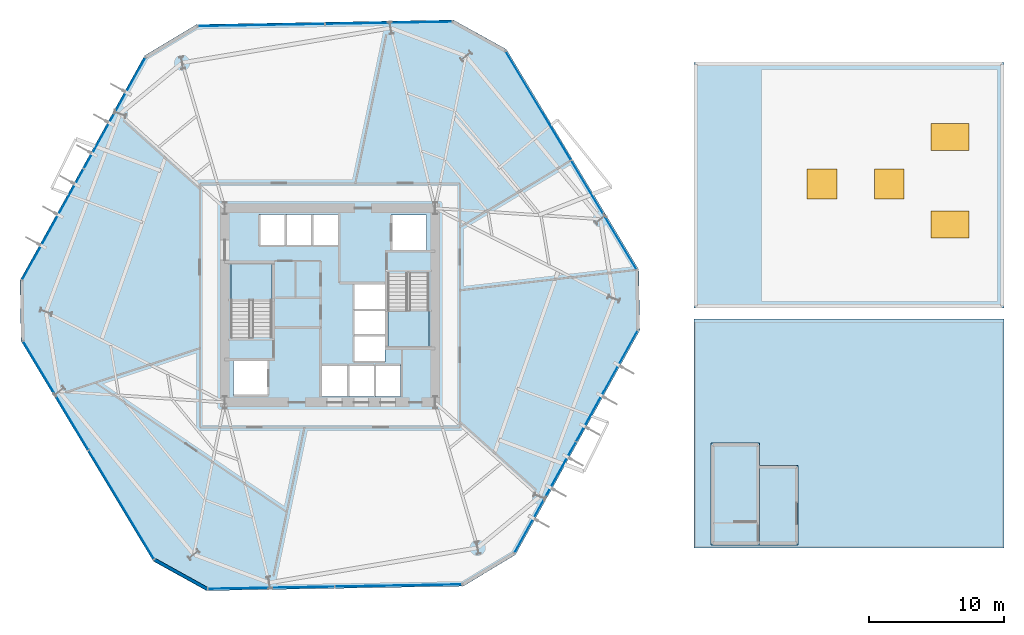
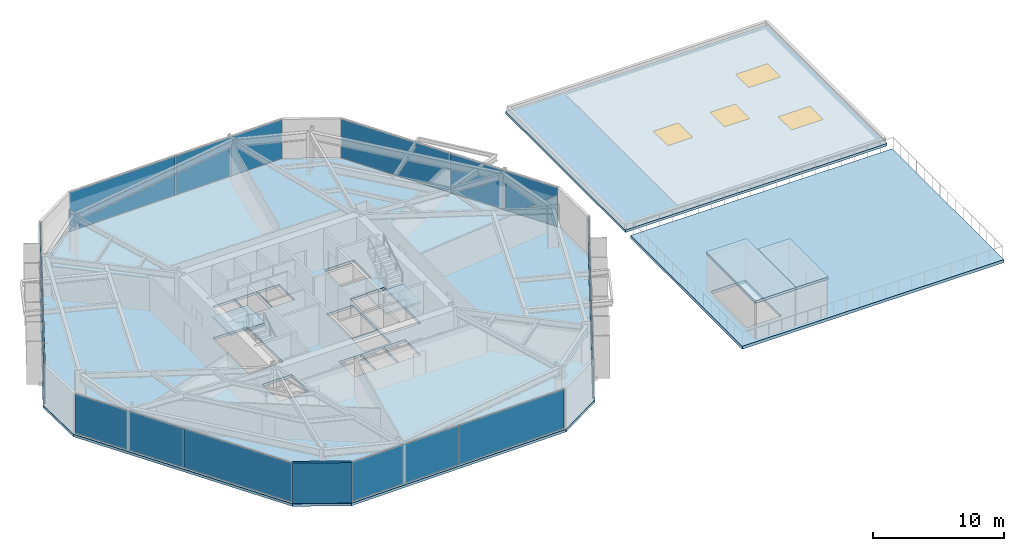
# One storey, part 5 of 11: 12 plates, 7 slabs, 4 windows, 1 wall, 4 openings, 8 elements without a shape of their own.
"""IFC4 building model written with IfcOpenShell, lengths in metres."""

from ifc_helpers import new_model, si_unit, direction, frame, frame_2d, origin, origin_2d, place, context, subcontext, project, spatial, polyline, rectangle, outline, extrude, material, layer, layer_set, type_object, element, fill, aggregate, save


model = new_model("IFC4")

# Units and contexts
model_context = context("Model", 3, precision=1e-05, world=origin(), true_north=direction((0.0, 1.0)))
body_context = subcontext(model_context, "Body", "Model", "MODEL_VIEW")
ifc_project = project(units=[si_unit("LENGTHUNIT", "METRE"), si_unit("AREAUNIT", "SQUARE_METRE"), si_unit("VOLUMEUNIT", "CUBIC_METRE"), si_unit("PLANEANGLEUNIT", "RADIAN"), si_unit("MASSUNIT", "GRAM", prefix="KILO")], contexts=[model_context])

# Site, building, storey
site_placement = place(None, origin())
site = spatial("IfcSite", under=ifc_project, at=site_placement, CompositionType="ELEMENT")
building_placement = place(site_placement, origin())
building = spatial("IfcBuilding", under=site, at=building_placement, Name="Kranzbogen Civic Tower", CompositionType="ELEMENT")
storey_placement = place(building_placement, frame((0.0, 0.0, 24.0)))
storey = spatial("IfcBuildingStorey", under=building, at=storey_placement, Name="L05", CompositionType="ELEMENT", Elevation=24.0)

# Slabs
ifc_material_1 = material(Name="Concrete C40/50", Category="concrete")
ifc_layer_1 = layer(ifc_material_1, 0.239990234375, Name="Concrete C40/50")
ifc_layer_set_1 = layer_set([ifc_layer_1], Name="Concrete C40/50")
slab_type_1 = type_object("IfcSlabType", Name="Composite Lower Tower Floor Slab 240 mm", PredefinedType="FLOOR", material=ifc_layer_set_1)
slab_1_placement = place(storey_placement, frame((0.0, 0.0, -0.239990234375)))
element("IfcSlab", 1, at=slab_1_placement, inside=storey, type_object=slab_type_1, Name="L05 tower floor slab", PredefinedType="FLOOR", context=body_context, shape_type="SweptSolid", body=[
    extrude(outline(polyline([(47.906982421875, 27.64990234375), (38.093994140625, 43.98095703125), (34.157958984375, 46.1630859375), (15.10888671875, 45.8310546875), (11.2509765625, 43.512939453125), (2.014892578125, 26.84912109375), (2.093017578125, 22.35009765625), (11.906005859375, 6.01904296875), (15.842041015625, 3.8369140625), (34.89111328125, 4.1689453125), (38.7490234375, 6.487060546875), (47.985107421875, 23.15087890625), (47.906982421875, 27.64990234375)]), holes=[polyline([(26.300048828125, 20.60009765625), (26.300048828125, 18.25), (24.39990234375, 18.25), (24.39990234375, 20.60009765625), (26.300048828125, 20.60009765625)]), polyline([(28.27490234375, 18.25), (26.375, 18.25), (26.375, 20.60009765625), (28.27490234375, 20.60009765625), (28.27490234375, 18.25)]), polyline([(20.449951171875, 18.300048828125), (17.85009765625, 18.300048828125), (17.85009765625, 20.89990234375), (20.449951171875, 20.89990234375), (20.449951171875, 18.300048828125)]), polyline([(19.25, 22.659912109375), (19.25, 22.60009765625), (17.64990234375, 22.60009765625), (17.64990234375, 28.10009765625), (20.699951171875, 28.10009765625), (20.699951171875, 22.659912109375), (19.25, 22.659912109375)]), polyline([(21.64990234375, 29.39990234375), (19.75, 29.39990234375), (19.75, 31.75), (21.64990234375, 31.75), (21.64990234375, 29.39990234375)]), polyline([(23.625, 29.39990234375), (21.72509765625, 29.39990234375), (21.72509765625, 31.75), (23.625, 31.75), (23.625, 29.39990234375)]), polyline([(25.60009765625, 29.39990234375), (23.699951171875, 29.39990234375), (23.699951171875, 31.75), (25.60009765625, 31.75), (25.60009765625, 29.39990234375)]), polyline([(30.25, 18.25), (28.35009765625, 18.25), (28.35009765625, 20.60009765625), (30.25, 20.60009765625), (30.25, 18.25)]), polyline([(29.10009765625, 20.800048828125), (26.75, 20.800048828125), (26.75, 22.699951171875), (29.10009765625, 22.699951171875), (29.10009765625, 20.800048828125)]), polyline([(26.75, 26.550048828125), (29.10009765625, 26.550048828125), (29.10009765625, 24.675048828125), (29.10009765625, 24.64990234375), (29.10009765625, 22.77490234375), (26.75, 22.77490234375), (26.75, 24.64990234375), (26.75, 24.675048828125), (26.75, 26.550048828125)]), polyline([(30.75, 27.340087890625), (30.75, 27.39990234375), (32.35009765625, 27.39990234375), (32.35009765625, 21.89990234375), (29.300048828125, 21.89990234375), (29.300048828125, 27.340087890625), (30.75, 27.340087890625)]), polyline([(32.14990234375, 29.10009765625), (29.550048828125, 29.10009765625), (29.550048828125, 31.699951171875), (32.14990234375, 31.699951171875), (32.14990234375, 29.10009765625)])]), origin(), (0.0, 0.0, 1.0), 0.239990234375),
])
ifc_layer_2 = layer(ifc_material_1, 0.27001953125, Name="Concrete C40/50")
ifc_layer_set_2 = layer_set([ifc_layer_2], Name="Concrete C40/50")
slab_type_2 = type_object("IfcSlabType", Name="Health Centre Insulated Roof Terrace Slab 270 mm", PredefinedType="FLOOR", material=ifc_layer_set_2)
slab_2_placement = place(storey_placement, frame((0.0, 0.0, -0.27001953125)))
element("IfcSlab", 2, at=slab_2_placement, inside=storey, type_object=slab_type_2, Name="L05 Health Centre accessible roof terrace slab", PredefinedType="FLOOR", context=body_context, shape_type="SweptSolid", body=[
    extrude(outline(polyline([(75.0, 7.0), (75.0, 24.0), (52.0, 24.0), (52.0, 7.0), (75.0, 7.0)]), holes=[polyline([(53.550048828125, 9.0), (53.550048828125, 14.5), (56.60009765625, 14.5), (56.60009765625, 9.0), (53.550048828125, 9.0)])]), origin(), (0.0, 0.0, 1.0), 0.27001953125),
])

# Slab, openings, windows
ifc_layer_3 = layer(ifc_material_1, 0.22998046875, Name="Concrete C40/50")
ifc_layer_set_3 = layer_set([ifc_layer_3], Name="Concrete C40/50")
slab_type_3 = type_object("IfcSlabType", Name="Health Centre Structural Roof Slab 230 mm", PredefinedType="ROOF", material=ifc_layer_set_3)
slab_3_placement = place(storey_placement, frame((0.0, 0.0, -0.22998046875)))
slab_3 = element("IfcSlab", 3, at=slab_3_placement, inside=storey, type_object=slab_type_3, Name="L05 Health Centre structural roof slab", PredefinedType="ROOF", context=body_context, shape_type="SweptSolid", body=[
    extrude(outline(polyline([(75.0, 24.800048828125), (75.0, 43.0), (52.0, 43.0), (52.0, 24.800048828125), (75.0, 24.800048828125)])), origin(), (0.0, 0.0, 1.0), 0.22998046875),
])
opening_1_placement = place(slab_3_placement, frame((61.5, 34.0, 0.0)))
opening_1 = element("IfcOpeningElement", 4, at=opening_1_placement, cuts=slab_3, Name="Opening SK-22", PredefinedType="OPENING", context=body_context, shape_type="SweptSolid", body=[
    extrude(rectangle(XDim=2.199951171875, YDim=2.199951171875, at=origin_2d()), origin(), (0.0, 0.0, 1.0), 0.22998046875),
])
opening_2_placement = place(slab_3_placement, frame((66.5, 34.0, 0.0)))
opening_2 = element("IfcOpeningElement", 5, at=opening_2_placement, cuts=slab_3, Name="Opening SK-22", PredefinedType="OPENING", context=body_context, shape_type="SweptSolid", body=[
    extrude(rectangle(XDim=2.199951171875, YDim=2.199951171875, at=origin_2d()), origin(), (0.0, 0.0, 1.0), 0.22998046875),
])
opening_3_placement = place(slab_3_placement, frame((71.0, 31.0, 0.0)))
opening_3 = element("IfcOpeningElement", 6, at=opening_3_placement, cuts=slab_3, Name="Opening SK-28", PredefinedType="OPENING", context=body_context, shape_type="SweptSolid", body=[
    extrude(rectangle(XDim=2.800048828125, YDim=2.0, at=origin_2d()), origin(), (0.0, 0.0, 1.0), 0.22998046875),
])
opening_4_placement = place(slab_3_placement, frame((71.0, 37.5, 0.0)))
opening_4 = element("IfcOpeningElement", 7, at=opening_4_placement, cuts=slab_3, Name="Opening SK-28", PredefinedType="OPENING", context=body_context, shape_type="SweptSolid", body=[
    extrude(rectangle(XDim=2.800048828125, YDim=2.0, at=origin_2d()), origin(), (0.0, 0.0, 1.0), 0.22998046875),
])
ifc_material_2 = material(Name="Low-E Triple Glazing Glass", Category="glass")
window_type_1 = type_object("IfcWindowType", Name="Health Centre Corridor Daylight Skylight 2800x2000", PartitioningType="DOUBLE_PANEL_HORIZONTAL", PredefinedType="SKYLIGHT", material=ifc_material_2)
window_1_placement = place(opening_3_placement, frame((0.0, 0.0, 0.179931640625)))
window_1 = element("IfcWindow", 8, at=window_1_placement, inside=storey, type_object=window_type_1, Name="L05 Health Roof daylight skylight 3", OverallHeight=2.0, OverallWidth=2.800048828125, PartitioningType="SINGLE_PANEL", PredefinedType="SKYLIGHT", context=body_context, shape_type="SweptSolid", body=[
    extrude(rectangle(XDim=2.800048828125, YDim=2.0, at=origin_2d()), origin(), (0.0, 0.0, 1.0), 0.050048828125),
])
fill(opening_3, window_1)
window_2_placement = place(opening_4_placement, frame((0.0, 0.0, 0.179931640625)))
window_2 = element("IfcWindow", 9, at=window_2_placement, inside=storey, type_object=window_type_1, Name="L05 Health Roof daylight skylight 4", OverallHeight=2.0, OverallWidth=2.800048828125, PartitioningType="SINGLE_PANEL", PredefinedType="SKYLIGHT", context=body_context, shape_type="SweptSolid", body=[
    extrude(rectangle(XDim=2.800048828125, YDim=2.0, at=origin_2d()), origin(), (0.0, 0.0, 1.0), 0.050048828125),
])
fill(opening_4, window_2)
window_type_2 = type_object("IfcWindowType", Name="Health Centre Roof Atrium Skylight 2200x2200", PartitioningType="SINGLE_PANEL", PredefinedType="SKYLIGHT", material=ifc_material_2)
window_3_placement = place(opening_1_placement, frame((0.0, 0.0, 0.179931640625)))
window_3 = element("IfcWindow", 10, at=window_3_placement, inside=storey, type_object=window_type_2, Name="L05 Health Roof daylight skylight 1", OverallHeight=2.199951171875, OverallWidth=2.199951171875, PartitioningType="SINGLE_PANEL", PredefinedType="SKYLIGHT", context=body_context, shape_type="SweptSolid", body=[
    extrude(rectangle(XDim=2.199951171875, YDim=2.199951171875, at=origin_2d()), origin(), (0.0, 0.0, 1.0), 0.050048828125),
])
fill(opening_1, window_3)
window_4_placement = place(opening_2_placement, frame((0.0, 0.0, 0.179931640625)))
window_4 = element("IfcWindow", 11, at=window_4_placement, inside=storey, type_object=window_type_2, Name="L05 Health Roof daylight skylight 2", OverallHeight=2.199951171875, OverallWidth=2.199951171875, PartitioningType="SINGLE_PANEL", PredefinedType="SKYLIGHT", context=body_context, shape_type="SweptSolid", body=[
    extrude(rectangle(XDim=2.199951171875, YDim=2.199951171875, at=origin_2d()), origin(), (0.0, 0.0, 1.0), 0.050048828125),
])
fill(opening_2, window_4)

# Slabs
slab_4_placement = place(storey_placement, frame((0.0, 0.0, 3.39990234375)))
element("IfcSlab", 12, at=slab_4_placement, inside=storey, type_object=slab_type_3, Name="L05 Health Roof headhouse 1 roof slab", PredefinedType="ROOF", context=body_context, shape_type="SweptSolid", body=[
    extrude(outline(polyline([(53.280029296875, 7.22998046875), (56.8701171875, 7.22998046875), (56.8701171875, 14.77001953125), (53.280029296875, 14.77001953125), (53.280029296875, 7.22998046875)])), origin(), (0.0, 0.0, 1.0), 0.22998046875),
])
slab_5_placement = place(storey_placement, frame((0.0, 0.0, 3.39990234375)))
element("IfcSlab", 13, at=slab_5_placement, inside=storey, type_object=slab_type_3, Name="L05 Roof Garden Pavilion roof slab", PredefinedType="ROOF", context=body_context, shape_type="SweptSolid", body=[
    extrude(outline(polyline([(56.8701171875, 7.22998046875), (59.719970703125, 7.22998046875), (59.719970703125, 13.1201171875), (56.8701171875, 13.1201171875), (56.8701171875, 7.22998046875)])), origin(), (0.0, 0.0, 1.0), 0.22998046875),
])

# Curtain wall, plates
ifc_material_3 = material(Name="Pale Anodised Aluminium", Category="aluminium")
ifc_layer_4 = layer(ifc_material_3, 0.219970703125, Name="Pale Anodised Aluminium")
ifc_layer_set_4 = layer_set([ifc_layer_4], Name="Pale Anodised Aluminium")
curtain_wall_type = type_object("IfcCurtainWallType", Name="Zone 1 Stick Curtain Wall System CW-02", PredefinedType="USERDEFINED", material=ifc_layer_set_4)
curtain_wall_1_placement = place(storey_placement, origin())
curtain_wall_1 = element("IfcCurtainWall", 14, at=curtain_wall_1_placement, inside=storey, type_object=curtain_wall_type, Name="L05 curtain wall CW-L05-F1", ObjectType="STICK CURTAIN WALL", PredefinedType="USERDEFINED")
ifc_layer_5 = layer(ifc_material_2, 0.033935546875, Name="Low-E Triple Glazing Glass")
ifc_layer_set_5 = layer_set([ifc_layer_5], Name="Low-E Triple Glazing Glass")
plate_type = type_object("IfcPlateType", Name="Insulated Low-E Glazing Panel 34 mm", PredefinedType="CURTAIN_PANEL", material=ifc_layer_set_5)
plate_1_placement = place(storey_placement, frame((45.322021484375, 31.704833984375, 0.06005859375), z_axis=(0.0, 0.0, 1.0), x_axis=(-0.515031495734, 0.857171253836, 0.0)))
plate_1 = element("IfcPlate", 15, at=plate_1_placement, type_object=plate_type, Name="CW-02 panel 1.1", PredefinedType="CURTAIN_PANEL", context=body_context, shape_type="SweptSolid", body=[
    extrude(rectangle(XDim=9.37841796875, YDim=0.028076171875, at=origin_2d()), origin(), (0.0, 0.0, 1.0), 3.639892578125),
])
plate_2_placement = place(storey_placement, frame((40.4609375, 39.795166015625, 0.06005859375), z_axis=(0.0, 0.0, 1.0), x_axis=(-0.515031495734, 0.857171253836, 0.0)))
plate_2 = element("IfcPlate", 16, at=plate_2_placement, type_object=plate_type, Name="CW-02 panel 2.1", PredefinedType="CURTAIN_PANEL", context=body_context, shape_type="SweptSolid", body=[
    extrude(rectangle(XDim=9.37841796875, YDim=0.028076171875, at=origin_2d()), origin(), (0.0, 0.0, 1.0), 3.639892578125),
])
aggregate(curtain_wall_1, [plate_1, plate_2])

curtain_wall_2_placement = place(storey_placement, origin())
curtain_wall_2 = element("IfcCurtainWall", 17, at=curtain_wall_2_placement, inside=storey, type_object=curtain_wall_type, Name="L05 curtain wall CW-L05-F2", ObjectType="STICK CURTAIN WALL", PredefinedType="USERDEFINED")
plate_3_placement = place(storey_placement, frame((29.353759765625, 45.9521484375, 0.06005859375), z_axis=(0.0, 0.0, 1.0), x_axis=(-0.999848134168, -0.01742723733, 0.0)))
plate_3 = element("IfcPlate", 18, at=plate_3_placement, type_object=plate_type, Name="CW-02 panel 1.1", PredefinedType="CURTAIN_PANEL", context=body_context, shape_type="SweptSolid", body=[
    extrude(rectangle(XDim=9.3779296875, YDim=0.028076171875, at=origin_2d()), origin(), (0.0, 0.0, 1.0), 3.639892578125),
])
plate_4_placement = place(storey_placement, frame((19.917236328125, 45.787841796875, 0.06005859375), z_axis=(0.0, 0.0, 1.0), x_axis=(-0.999848134168, -0.01742723733, 0.0)))
plate_4 = element("IfcPlate", 19, at=plate_4_placement, type_object=plate_type, Name="CW-02 panel 2.1", PredefinedType="CURTAIN_PANEL", context=body_context, shape_type="SweptSolid", body=[
    extrude(rectangle(XDim=9.3779296875, YDim=0.028076171875, at=origin_2d()), origin(), (0.0, 0.0, 1.0), 3.639892578125),
])
aggregate(curtain_wall_2, [plate_3, plate_4])

curtain_wall_3_placement = place(storey_placement, origin())
curtain_wall_3 = element("IfcCurtainWall", 20, at=curtain_wall_3_placement, inside=storey, type_object=curtain_wall_type, Name="L05 curtain wall CW-L05-F3", ObjectType="STICK CURTAIN WALL", PredefinedType="USERDEFINED")
plate_5_placement = place(storey_placement, frame((9.031982421875, 39.2470703125, 0.06005859375), z_axis=(0.0, 0.0, 1.0), x_axis=(-0.484727984582, -0.874664953547, 0.0)))
plate_5 = element("IfcPlate", 21, at=plate_5_placement, type_object=plate_type, Name="CW-02 panel 1.1", PredefinedType="CURTAIN_PANEL", context=body_context, shape_type="SweptSolid", body=[
    extrude(rectangle(XDim=9.378173828125, YDim=0.028076171875, at=origin_2d()), origin(), (0.0, 0.0, 1.0), 3.639892578125),
])
plate_6_placement = place(storey_placement, frame((4.45703125, 30.991943359375, 0.06005859375), z_axis=(0.0, 0.0, 1.0), x_axis=(-0.484727984582, -0.874664953547, 0.0)))
plate_6 = element("IfcPlate", 22, at=plate_6_placement, type_object=plate_type, Name="CW-02 panel 2.1", PredefinedType="CURTAIN_PANEL", context=body_context, shape_type="SweptSolid", body=[
    extrude(rectangle(XDim=9.378173828125, YDim=0.028076171875, at=origin_2d()), origin(), (0.0, 0.0, 1.0), 3.639892578125),
])
aggregate(curtain_wall_3, [plate_5, plate_6])

curtain_wall_4_placement = place(storey_placement, origin())
curtain_wall_4 = element("IfcCurtainWall", 23, at=curtain_wall_4_placement, inside=storey, type_object=curtain_wall_type, Name="L05 curtain wall CW-L05-F4", ObjectType="STICK CURTAIN WALL", PredefinedType="USERDEFINED")
plate_7_placement = place(storey_placement, frame((4.677978515625, 18.295166015625, 0.06005859375), z_axis=(0.0, 0.0, 1.0), x_axis=(0.515031495734, -0.857171253836, 0.0)))
plate_7 = element("IfcPlate", 24, at=plate_7_placement, type_object=plate_type, Name="CW-02 panel 1.1", PredefinedType="CURTAIN_PANEL", context=body_context, shape_type="SweptSolid", body=[
    extrude(rectangle(XDim=9.37841796875, YDim=0.028076171875, at=origin_2d()), origin(), (0.0, 0.0, 1.0), 3.639892578125),
])
plate_8_placement = place(storey_placement, frame((9.5390625, 10.204833984375, 0.06005859375), z_axis=(0.0, 0.0, 1.0), x_axis=(0.515031495734, -0.857171253836, 0.0)))
plate_8 = element("IfcPlate", 25, at=plate_8_placement, type_object=plate_type, Name="CW-02 panel 2.1", PredefinedType="CURTAIN_PANEL", context=body_context, shape_type="SweptSolid", body=[
    extrude(rectangle(XDim=9.37841796875, YDim=0.028076171875, at=origin_2d()), origin(), (0.0, 0.0, 1.0), 3.639892578125),
])
aggregate(curtain_wall_4, [plate_7, plate_8])

curtain_wall_5_placement = place(storey_placement, origin())
curtain_wall_5 = element("IfcCurtainWall", 26, at=curtain_wall_5_placement, inside=storey, type_object=curtain_wall_type, Name="L05 curtain wall CW-L05-F5", ObjectType="STICK CURTAIN WALL", PredefinedType="USERDEFINED")
plate_9_placement = place(storey_placement, frame((20.646240234375, 4.0478515625, 0.06005859375), z_axis=(0.0, 0.0, 1.0), x_axis=(0.999848134168, 0.01742723733, 0.0)))
plate_9 = element("IfcPlate", 27, at=plate_9_placement, type_object=plate_type, Name="CW-02 panel 1.1", PredefinedType="CURTAIN_PANEL", context=body_context, shape_type="SweptSolid", body=[
    extrude(rectangle(XDim=9.3779296875, YDim=0.028076171875, at=origin_2d()), origin(), (0.0, 0.0, 1.0), 3.639892578125),
])
plate_10_placement = place(storey_placement, frame((30.082763671875, 4.212158203125, 0.06005859375), z_axis=(0.0, 0.0, 1.0), x_axis=(0.999848134168, 0.01742723733, 0.0)))
plate_10 = element("IfcPlate", 28, at=plate_10_placement, type_object=plate_type, Name="CW-02 panel 2.1", PredefinedType="CURTAIN_PANEL", context=body_context, shape_type="SweptSolid", body=[
    extrude(rectangle(XDim=9.3779296875, YDim=0.028076171875, at=origin_2d()), origin(), (0.0, 0.0, 1.0), 3.639892578125),
])
aggregate(curtain_wall_5, [plate_9, plate_10])

curtain_wall_6_placement = place(storey_placement, origin())
curtain_wall_6 = element("IfcCurtainWall", 29, at=curtain_wall_6_placement, inside=storey, type_object=curtain_wall_type, Name="L05 curtain wall CW-L05-F6", ObjectType="STICK CURTAIN WALL", PredefinedType="USERDEFINED")
plate_11_placement = place(storey_placement, frame((40.968017578125, 10.7529296875, 0.06005859375), z_axis=(0.0, 0.0, 1.0), x_axis=(0.484727984582, 0.874664953547, 0.0)))
plate_11 = element("IfcPlate", 30, at=plate_11_placement, type_object=plate_type, Name="CW-02 panel 1.1", PredefinedType="CURTAIN_PANEL", context=body_context, shape_type="SweptSolid", body=[
    extrude(rectangle(XDim=9.378173828125, YDim=0.028076171875, at=origin_2d()), origin(), (0.0, 0.0, 1.0), 3.639892578125),
])
plate_12_placement = place(storey_placement, frame((45.54296875, 19.008056640625, 0.06005859375), z_axis=(0.0, 0.0, 1.0), x_axis=(0.484727984582, 0.874664953547, 0.0)))
plate_12 = element("IfcPlate", 31, at=plate_12_placement, type_object=plate_type, Name="CW-02 panel 2.1", PredefinedType="CURTAIN_PANEL", context=body_context, shape_type="SweptSolid", body=[
    extrude(rectangle(XDim=9.378173828125, YDim=0.028076171875, at=origin_2d()), origin(), (0.0, 0.0, 1.0), 3.639892578125),
])
aggregate(curtain_wall_6, [plate_11, plate_12])

# Stair, slab
ifc_material_4 = material(Name="Precast concrete C40/50", Category="concrete")
stair_type_1 = type_object("IfcStairType", Name="Tower Core Pressurized Dogleg Stair 1450", PredefinedType="HALF_TURN_STAIR", material=ifc_material_4)
stair_1_placement = place(storey_placement, origin())
stair_1 = element("IfcStair", 32, at=stair_1_placement, inside=storey, type_object=stair_type_1, Name="L05 Tower Core Pressurized Stair 1", PredefinedType="HALF_TURN_STAIR")
ifc_layer_6 = layer(ifc_material_4, 0.199951171875, Name="Precast concrete C40/50")
ifc_layer_set_6 = layer_set([ifc_layer_6], Name="Precast concrete C40/50")
slab_type_4 = type_object("IfcSlabType", Name="Precast Concrete Stair Landing Slab 200 mm", PredefinedType="LANDING", material=ifc_layer_set_6)
slab_6_placement = place(storey_placement, frame((0.0, 0.0, 1.800048828125)))
slab_6 = element("IfcSlab", 33, at=slab_6_placement, type_object=slab_type_4, Name="ST-T1 landing 1", PredefinedType="LANDING", context=body_context, shape_type="SweptSolid", body=[
    extrude(outline(polyline([(20.699951171875, 25.39990234375), (20.699951171875, 28.10009765625), (17.64990234375, 28.10009765625), (17.64990234375, 25.39990234375), (20.699951171875, 25.39990234375)])), origin(), (0.0, 0.0, 1.0), 0.199951171875),
])
aggregate(stair_1, [slab_6])

stair_type_2 = type_object("IfcStairType", Name="Tower Core Secondary Dogleg Stair 1450", PredefinedType="HALF_TURN_STAIR", material=ifc_material_4)
stair_2_placement = place(storey_placement, origin())
stair_2 = element("IfcStair", 34, at=stair_2_placement, inside=storey, type_object=stair_type_2, Name="L05 Tower Core Pressurized Stair 2", PredefinedType="HALF_TURN_STAIR")
slab_7_placement = place(storey_placement, frame((0.0, 0.0, 1.800048828125)))
slab_7 = element("IfcSlab", 35, at=slab_7_placement, type_object=slab_type_4, Name="ST-T2 landing 1", PredefinedType="LANDING", context=body_context, shape_type="SweptSolid", body=[
    extrude(outline(polyline([(29.300048828125, 24.60009765625), (29.300048828125, 21.89990234375), (32.35009765625, 21.89990234375), (32.35009765625, 24.60009765625), (29.300048828125, 24.60009765625)])), origin(), (0.0, 0.0, 1.0), 0.199951171875),
])
aggregate(stair_2, [slab_7])

# Wall
ifc_layer_7 = layer(ifc_material_3, 0.239990234375, Name="Pale Anodised Aluminium")
ifc_layer_set_7 = layer_set([ifc_layer_7], Name="Pale Anodised Aluminium")
wall_type = type_object("IfcWallType", Name="Insulated Aluminium Facade Portal Wall 240 mm", PredefinedType="STANDARD", material=ifc_layer_set_7)
wall_placement = place(storey_placement, frame((11.985107421875, 6.134033203125, 0.0), z_axis=(0.0, 0.0, 1.0), x_axis=(0.874617651583, -0.48481332855, 0.0)))
element("IfcWall", 36, at=wall_placement, inside=storey, type_object=wall_type, Name="L05 chamfered corner facade spandrel 4", PredefinedType="STANDARD", context=body_context, shape_type="SweptSolid", body=[
    extrude(rectangle(XDim=4.473876953125, YDim=0.239990234375, at=frame_2d((2.23681640625, 0.0))), origin(), (0.0, 0.0, 1.0), 3.760009765625),
])

save(model, "model.ifc")
